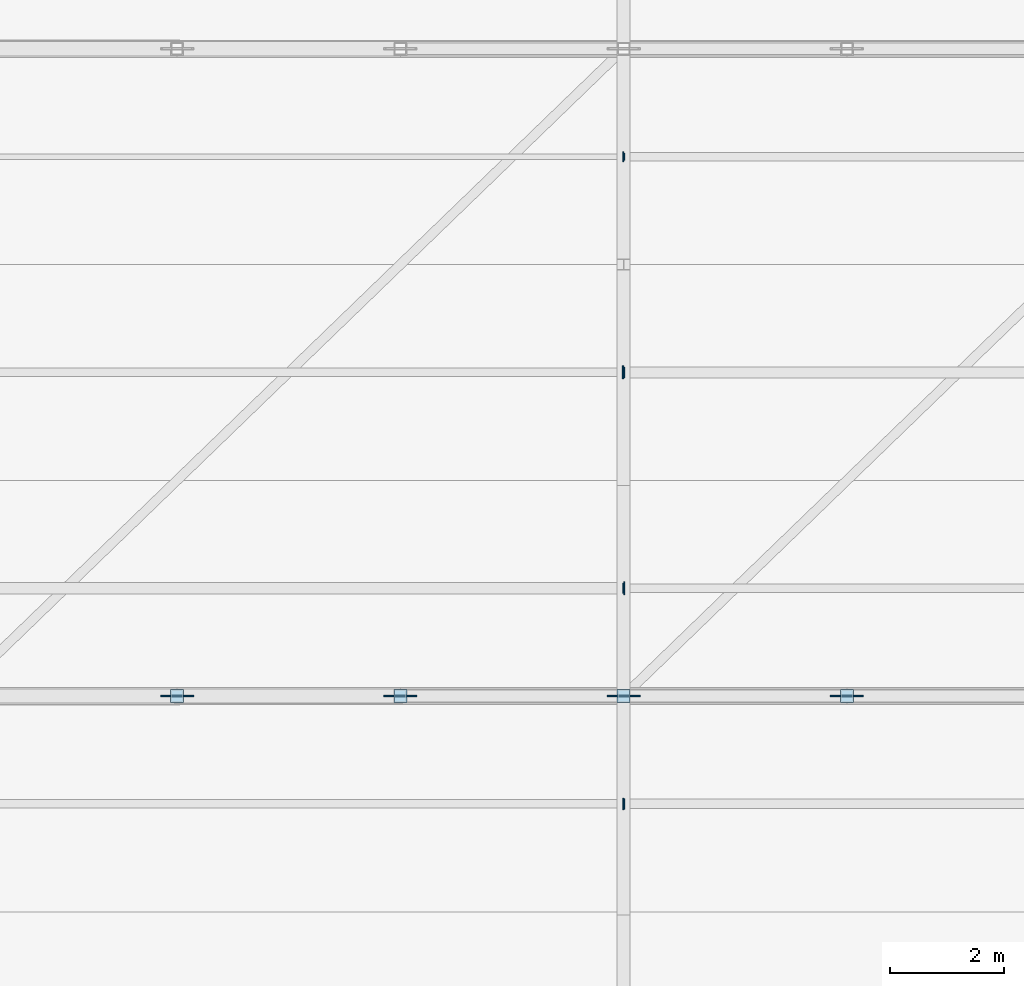
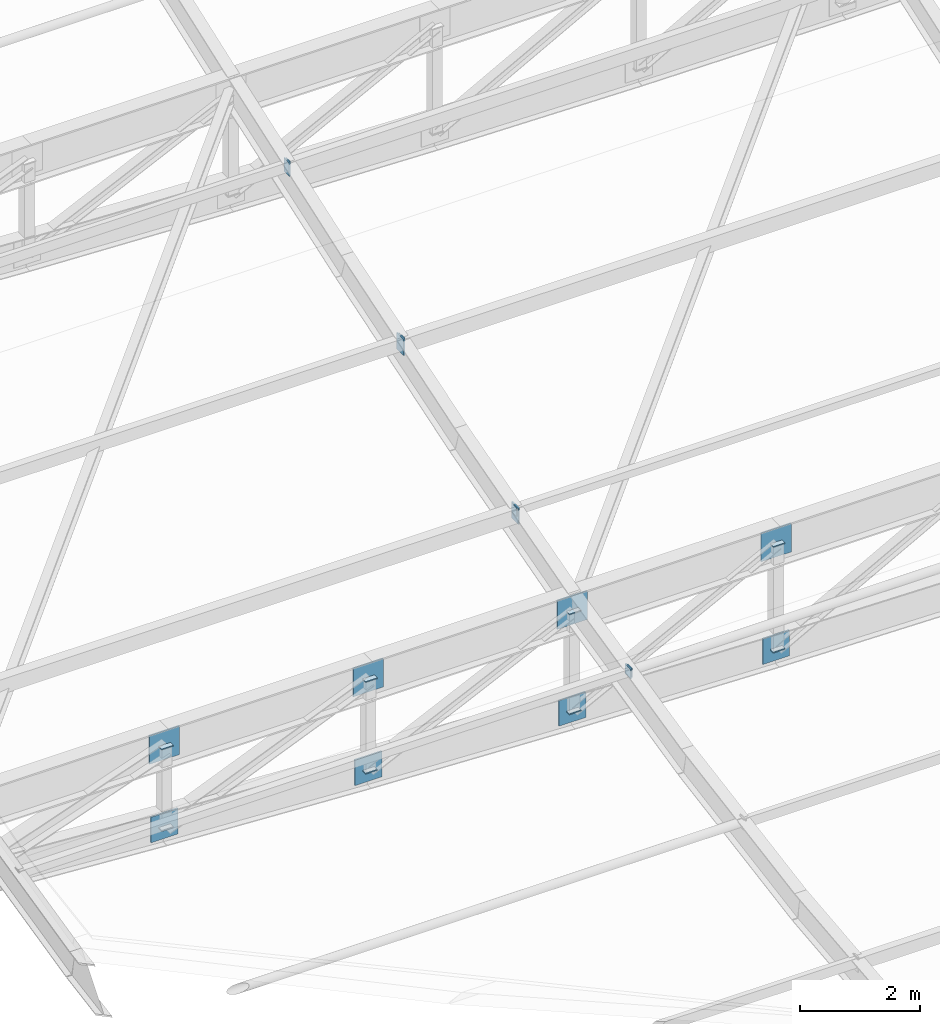
# One storey, part 52 of 65: 24 plates.
"""IFC4 building model written with IfcOpenShell, lengths in metres."""

from ifc_helpers import new_model, si_unit, direction, frame, origin, origin_2d, place, context, subcontext, project, spatial, rectangle, extrude, material, layer, layer_set, type_object, element, save


model = new_model("IFC4")

# Units and contexts
model_context = context("Model", 3, precision=1e-05, world=origin(), true_north=direction((0.0, 1.0)))
body_context = subcontext(model_context, "Body", "Model", "MODEL_VIEW")
ifc_project = project(units=[si_unit("LENGTHUNIT", "METRE"), si_unit("AREAUNIT", "SQUARE_METRE"), si_unit("VOLUMEUNIT", "CUBIC_METRE"), si_unit("PLANEANGLEUNIT", "RADIAN"), si_unit("MASSUNIT", "GRAM", prefix="KILO"), si_unit("POWERUNIT", "WATT"), si_unit("THERMODYNAMICTEMPERATUREUNIT", "KELVIN")], contexts=[model_context])

# Site, building, storey
site_placement = place(None, origin())
site = spatial("IfcSite", under=ifc_project, at=site_placement, CompositionType="ELEMENT")
building_placement = place(site_placement, origin())
building = spatial("IfcBuilding", under=site, at=building_placement, Name="Kelmbourne Parkland Aquatics Centre", CompositionType="ELEMENT")
storey_placement = place(building_placement, frame((0.0, 0.0, 27.0)))
storey = spatial("IfcBuildingStorey", under=building, at=storey_placement, Name="RF", CompositionType="ELEMENT", Elevation=27.0)

# Plates
ifc_material = material(Name="Welded plate steel AS/NZS 3678 Grade 350", Category="steel")
ifc_layer_1 = layer(ifc_material, 0.02001953125)
ifc_layer_set_1 = layer_set([ifc_layer_1], Name="Welded plate steel AS/NZS 3678 Grade 350")
plate_type_1 = type_object("IfcPlateType", Name="PL-CAP-20", PredefinedType="USERDEFINED", material=ifc_layer_set_1)
for number, where, z_axis, x_axis, name in (
    (1, (131.933349609375, 69.199951171875, -12.59912109375), (0.0, 0.0, 1.0), (1.0, 0.0, 0.0), "Hollow end cap plate CAP-0173"),
    (2, (131.933349609375, 69.199951171875, -10.94140625), (0.0, 0.0, 1.0), (1.0, 0.0, 0.0), "Hollow end cap plate CAP-0174"),
    (3, (135.86669921875, 69.199951171875, -12.811767578125), (0.0, 0.0, 1.0), (1.0, 0.0, 0.0), "Hollow end cap plate CAP-0175"),
    (4, (135.86669921875, 69.199951171875, -10.94140625), (0.0, 0.0, 1.0), (1.0, 0.0, 0.0), "Hollow end cap plate CAP-0176"),
    (5, (139.800048828125, 69.199951171875, -12.97705078125), (0.0, 0.0, 1.0), (1.0, 0.0, 0.0), "Hollow end cap plate CAP-0177"),
    (6, (139.800048828125, 69.199951171875, -10.94140625), (0.0, 0.0, 1.0), (1.0, 0.0, 0.0), "Hollow end cap plate CAP-0178"),
    (7, (143.7333984375, 69.199951171875, -13.09521484375), (0.0, 0.0, 1.0), (1.0, 0.0, 0.0), "Hollow end cap plate CAP-0179"),
    (8, (143.7333984375, 69.199951171875, -10.94140625), (0.0, 0.0, 1.0), (1.0, 0.0, 0.0), "Hollow end cap plate CAP-0180"),
):
    element("IfcPlate", number, at=place(storey_placement, frame(where, z_axis=z_axis, x_axis=x_axis)), inside=storey, type_object=plate_type_1, Name=name, ObjectType="END CAP PLATE", PredefinedType="USERDEFINED", context=body_context, shape_type="SweptSolid", body=[
        extrude(rectangle(XDim=0.22998046875, YDim=0.22998046875, at=origin_2d()), origin(), (0.0, 0.0, 1.0), 0.02001953125),
    ])
plate_1_placement = place(storey_placement, frame((139.80908203125, 67.300048828125, -11.11669921875), z_axis=(0.0, 0.0, 1.0), x_axis=(1.0, 0.0, 0.0)))
element("IfcPlate", 9, at=plate_1_placement, inside=storey, type_object=plate_type_1, Name="Hollow end cap plate CAP-0438", ObjectType="END CAP PLATE", PredefinedType="USERDEFINED", context=body_context, shape_type="SweptSolid", body=[
    extrude(rectangle(XDim=0.02001953125, YDim=0.179931640625, at=origin_2d()), origin(), (0.0, 0.0, 1.0), 0.179931640625),
])
plate_2_placement = place(storey_placement, frame((139.791015625, 67.300048828125, -11.13525390625), z_axis=(0.0, 0.0, 1.0), x_axis=(-1.0, 0.0, 0.0)))
element("IfcPlate", 10, at=plate_2_placement, inside=storey, type_object=plate_type_1, Name="Hollow end cap plate CAP-0439", ObjectType="END CAP PLATE", PredefinedType="USERDEFINED", context=body_context, shape_type="SweptSolid", body=[
    extrude(rectangle(XDim=0.02001953125, YDim=0.1982421875, at=origin_2d()), origin(), (0.0, 0.0, 1.0), 0.1982421875),
])
plate_3_placement = place(storey_placement, frame((139.791015625, 71.10009765625, -10.1376953125), z_axis=(0.0, 0.0, 1.0), x_axis=(-1.0, 0.0, 0.0)))
element("IfcPlate", 11, at=plate_3_placement, inside=storey, type_object=plate_type_1, Name="Hollow end cap plate CAP-0447", ObjectType="END CAP PLATE", PredefinedType="USERDEFINED", context=body_context, shape_type="SweptSolid", body=[
    extrude(rectangle(XDim=0.02001953125, YDim=0.179931640625, at=origin_2d()), origin(), (0.0, 0.0, 1.0), 0.179931640625),
])
plate_4_placement = place(storey_placement, frame((139.80908203125, 74.89990234375, -9.0859375), z_axis=(0.0, 0.0, 1.0), x_axis=(1.0, 0.0, 0.0)))
element("IfcPlate", 12, at=plate_4_placement, inside=storey, type_object=plate_type_1, Name="Hollow end cap plate CAP-0454", ObjectType="END CAP PLATE", PredefinedType="USERDEFINED", context=body_context, shape_type="SweptSolid", body=[
    extrude(rectangle(XDim=0.02001953125, YDim=0.179931640625, at=origin_2d()), origin(), (0.0, 0.0, 1.0), 0.280029296875),
])
plate_5_placement = place(storey_placement, frame((139.80908203125, 78.699951171875, -7.756103515625), z_axis=(0.0, 0.0, 1.0), x_axis=(1.0, 0.0, 0.0)))
element("IfcPlate", 13, at=plate_5_placement, inside=storey, type_object=plate_type_1, Name="Hollow end cap plate CAP-0462", ObjectType="END CAP PLATE", PredefinedType="USERDEFINED", context=body_context, shape_type="SweptSolid", body=[
    extrude(rectangle(XDim=0.02001953125, YDim=0.1298828125, at=origin_2d()), origin(), (0.0, 0.0, 1.0), 0.22998046875),
])
plate_6_placement = place(storey_placement, frame((139.791015625, 78.699951171875, -7.80615234375), z_axis=(0.0, 0.0, 1.0), x_axis=(-1.0, 0.0, 0.0)))
element("IfcPlate", 14, at=plate_6_placement, inside=storey, type_object=plate_type_1, Name="Hollow end cap plate CAP-0463", ObjectType="END CAP PLATE", PredefinedType="USERDEFINED", context=body_context, shape_type="SweptSolid", body=[
    extrude(rectangle(XDim=0.02001953125, YDim=0.179931640625, at=origin_2d()), origin(), (0.0, 0.0, 1.0), 0.280029296875),
])
ifc_layer_2 = layer(ifc_material, 0.02392578125)
ifc_layer_set_2 = layer_set([ifc_layer_2], Name="Welded plate steel AS/NZS 3678 Grade 350")
plate_type_2 = type_object("IfcPlateType", Name="PL-CAP-24", PredefinedType="USERDEFINED", material=ifc_layer_set_2)
for number, where, z_axis, x_axis, name in (
    (15, (139.81103515625, 71.10009765625, -10.28759765625), (0.0, 0.0, 1.0), (1.0, 0.0, 0.0), "Hollow end cap plate CAP-0446"),
    (16, (139.7890625, 74.89990234375, -9.1357421875), (0.0, 0.0, 1.0), (-1.0, 0.0, 0.0), "Hollow end cap plate CAP-0455"),
):
    element("IfcPlate", number, at=place(storey_placement, frame(where, z_axis=z_axis, x_axis=x_axis)), inside=storey, type_object=plate_type_2, Name=name, ObjectType="END CAP PLATE", PredefinedType="USERDEFINED", context=body_context, shape_type="SweptSolid", body=[
        extrude(rectangle(XDim=0.02392578125, YDim=0.22998046875, at=origin_2d()), origin(), (0.0, 0.0, 1.0), 0.330078125),
    ])
ifc_layer_3 = layer(ifc_material, 0.031982421875)
ifc_layer_set_3 = layer_set([ifc_layer_3], Name="Welded plate steel AS/NZS 3678 Grade 350")
plate_type_3 = type_object("IfcPlateType", Name="PL-GUS-3", PredefinedType="USERDEFINED", material=ifc_layer_set_3)
plate_7_placement = place(storey_placement, frame((131.933349609375, 69.199951171875, -11.23046875), z_axis=(0.0, 0.0, 1.0), x_axis=(1.0, 0.0, 0.0)))
element("IfcPlate", 17, at=plate_7_placement, inside=storey, type_object=plate_type_3, Name="Truss top node TN-3 gusset plate R06-N1", ObjectType="GUSSET PLATE", PredefinedType="USERDEFINED", context=body_context, shape_type="SweptSolid", body=[
    extrude(rectangle(XDim=0.580078125, YDim=0.031982421875, at=origin_2d()), origin(), (0.0, 0.0, 1.0), 0.580078125),
])
plate_8_placement = place(storey_placement, frame((131.933349609375, 69.199951171875, -12.840087890625), z_axis=(0.0, 0.0, 1.0), x_axis=(1.0, 0.0, 0.0)))
element("IfcPlate", 18, at=plate_8_placement, inside=storey, type_object=plate_type_3, Name="Truss bottom node TN-3 gusset plate R06-B1", ObjectType="GUSSET PLATE", PredefinedType="USERDEFINED", context=body_context, shape_type="SweptSolid", body=[
    extrude(rectangle(XDim=0.52001953125, YDim=0.031982421875, at=origin_2d()), origin(), (0.0, 0.0, 1.0), 0.52001953125),
])
plate_9_placement = place(storey_placement, frame((135.86669921875, 69.199951171875, -11.23046875), z_axis=(0.0, 0.0, 1.0), x_axis=(1.0, 0.0, 0.0)))
element("IfcPlate", 19, at=plate_9_placement, inside=storey, type_object=plate_type_3, Name="Truss top node TN-3 gusset plate R06-N2", ObjectType="GUSSET PLATE", PredefinedType="USERDEFINED", context=body_context, shape_type="SweptSolid", body=[
    extrude(rectangle(XDim=0.580078125, YDim=0.031982421875, at=origin_2d()), origin(), (0.0, 0.0, 1.0), 0.580078125),
])
plate_10_placement = place(storey_placement, frame((135.86669921875, 69.199951171875, -13.052734375), z_axis=(0.0, 0.0, 1.0), x_axis=(1.0, 0.0, 0.0)))
element("IfcPlate", 20, at=plate_10_placement, inside=storey, type_object=plate_type_3, Name="Truss bottom node TN-3 gusset plate R06-B2", ObjectType="GUSSET PLATE", PredefinedType="USERDEFINED", context=body_context, shape_type="SweptSolid", body=[
    extrude(rectangle(XDim=0.52001953125, YDim=0.031982421875, at=origin_2d()), origin(), (0.0, 0.0, 1.0), 0.52001953125),
])
plate_11_placement = place(storey_placement, frame((139.800048828125, 69.199951171875, -11.23046875), z_axis=(0.0, 0.0, 1.0), x_axis=(1.0, 0.0, 0.0)))
element("IfcPlate", 21, at=plate_11_placement, inside=storey, type_object=plate_type_3, Name="Truss top node TN-3 gusset plate R06-N3", ObjectType="GUSSET PLATE", PredefinedType="USERDEFINED", context=body_context, shape_type="SweptSolid", body=[
    extrude(rectangle(XDim=0.580078125, YDim=0.031982421875, at=origin_2d()), origin(), (0.0, 0.0, 1.0), 0.580078125),
])
plate_12_placement = place(storey_placement, frame((139.800048828125, 69.199951171875, -13.218017578125), z_axis=(0.0, 0.0, 1.0), x_axis=(1.0, 0.0, 0.0)))
element("IfcPlate", 22, at=plate_12_placement, inside=storey, type_object=plate_type_3, Name="Truss bottom node TN-3 gusset plate R06-B3", ObjectType="GUSSET PLATE", PredefinedType="USERDEFINED", context=body_context, shape_type="SweptSolid", body=[
    extrude(rectangle(XDim=0.52001953125, YDim=0.031982421875, at=origin_2d()), origin(), (0.0, 0.0, 1.0), 0.52001953125),
])
plate_13_placement = place(storey_placement, frame((143.7333984375, 69.199951171875, -11.23046875), z_axis=(0.0, 0.0, 1.0), x_axis=(1.0, 0.0, 0.0)))
element("IfcPlate", 23, at=plate_13_placement, inside=storey, type_object=plate_type_3, Name="Truss top node TN-3 gusset plate R06-N4", ObjectType="GUSSET PLATE", PredefinedType="USERDEFINED", context=body_context, shape_type="SweptSolid", body=[
    extrude(rectangle(XDim=0.580078125, YDim=0.031982421875, at=origin_2d()), origin(), (0.0, 0.0, 1.0), 0.580078125),
])
plate_14_placement = place(storey_placement, frame((143.7333984375, 69.199951171875, -13.336181640625), z_axis=(0.0, 0.0, 1.0), x_axis=(1.0, 0.0, 0.0)))
element("IfcPlate", 24, at=plate_14_placement, inside=storey, type_object=plate_type_3, Name="Truss bottom node TN-3 gusset plate R06-B4", ObjectType="GUSSET PLATE", PredefinedType="USERDEFINED", context=body_context, shape_type="SweptSolid", body=[
    extrude(rectangle(XDim=0.52001953125, YDim=0.031982421875, at=origin_2d()), origin(), (0.0, 0.0, 1.0), 0.52001953125),
])

save(model, "model.ifc")
